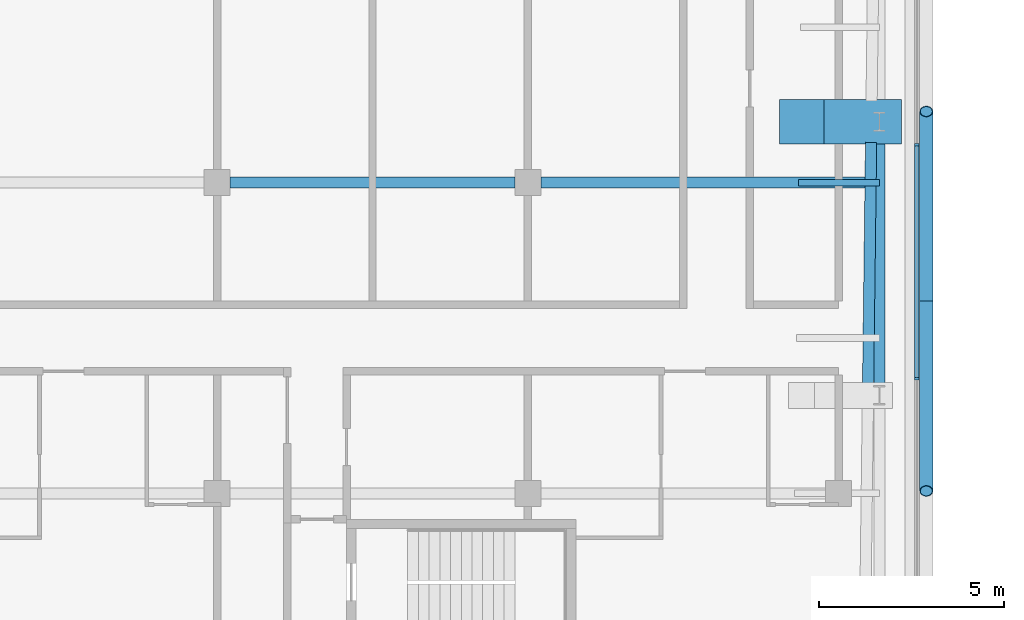
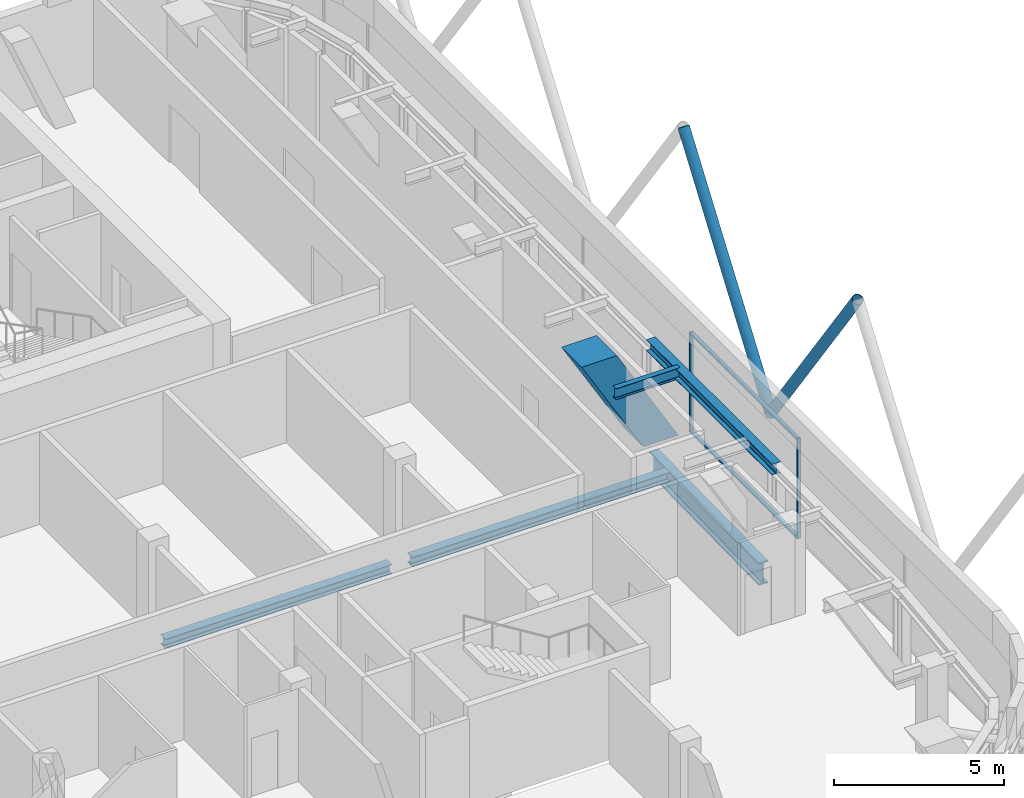
# One storey, part 7 of 25: 7 members, 5 beams, 1 element without a shape of its own.
"""IFC4 building model written with IfcOpenShell, lengths in metres."""

from ifc_helpers import new_model, si_unit, direction, frame, origin, origin_2d, place, context, subcontext, project, spatial, rectangle, hollow_circle, i_section, extrude, material, layer, layer_set, material_profile, profile_set, type_object, element, aggregate, save


model = new_model("IFC4")

# Units and contexts
model_context = context("Model", 3, precision=1e-05, world=origin(), true_north=direction((0.0, 1.0)))
body_context = subcontext(model_context, "Body", "Model", "MODEL_VIEW")
ifc_project = project(units=[si_unit("LENGTHUNIT", "METRE"), si_unit("AREAUNIT", "SQUARE_METRE"), si_unit("VOLUMEUNIT", "CUBIC_METRE"), si_unit("PLANEANGLEUNIT", "RADIAN"), si_unit("MASSUNIT", "GRAM", prefix="KILO")], contexts=[model_context])

# Site, building, storey
site_placement = place(None, origin())
site = spatial("IfcSite", under=ifc_project, at=site_placement, CompositionType="ELEMENT")
building_placement = place(site_placement, origin())
building = spatial("IfcBuilding", under=site, at=building_placement, Name="Marenta Gate Hotel Tower", CompositionType="ELEMENT")
storey_placement = place(building_placement, frame((0.0, 0.0, 277.699951171875)))
storey = spatial("IfcBuildingStorey", under=building, at=storey_placement, Name="L64", CompositionType="ELEMENT", Elevation=277.699951171875)

# Members
ifc_material_1 = material(Name="Steel S355J2W", Category="steel")
ifc_material_profile_1 = material_profile(ifc_material_1, hollow_circle(Radius=0.177734375, WallThickness=0.01611328125, at=origin_2d()), Name="CHS 355.6x16")
ifc_profile_set_1 = profile_set([ifc_material_profile_1], Name="Steel S355J2W")
member_type_1 = type_object("IfcMemberType", Name="Diagrid diagonal C CHS 355.6x16", PredefinedType="BRACE", material=ifc_profile_set_1)
for number, where, z_axis, x_axis, name in (
    (1, (23.3701171875, -11.60595703125, 3.14013671875), (0.0, 0.580231970533, 0.81445126335), (-1.0, 0.0, 0.0), "L64-DG-6"),
    (2, (23.3701171875, -11.60595703125, 3.14013671875), (0.0, -0.580231970533, 0.81445126335), (1.0, 0.0, 0.0), "L64-DG-7"),
):
    element("IfcMember", number, at=place(storey_placement, frame(where, z_axis=z_axis, x_axis=x_axis)), inside=storey, type_object=member_type_1, Name=name, PredefinedType="BRACE", context=body_context, shape_type="SweptSolid", body=[
        extrude(hollow_circle(Radius=0.177734375, WallThickness=0.01611328125, at=origin_2d()), origin(), (0.0, 0.0, 1.0), 8.84033203125),
    ])

# Beams
ifc_material_2 = material(Name="Steel S355", Category="steel")
ifc_material_profile_2 = material_profile(ifc_material_2, i_section(OverallWidth=0.302978515625, OverallDepth=0.81396484375, WebThickness=0.030029296875, FlangeThickness=0.052001953125, FilletRadius=0.030029296875, at=origin_2d()), Name="HEM 800")
ifc_profile_set_2 = profile_set([ifc_material_profile_2], Name="Steel S355")
beam_type_1 = type_object("IfcBeamType", Name="Edge beam HEM 800", PredefinedType="SPANDREL", material=ifc_profile_set_2)
beam_1_placement = place(storey_placement, frame((21.877197265625, -7.31005859375, -0.6669921875), z_axis=(-0.012334222436, -0.999923930585, 0.0), x_axis=(0.999923930585, -0.012334222436, 0.0)))
element("IfcBeam", 3, at=beam_1_placement, inside=storey, type_object=beam_type_1, Name="L64-EB-25", PredefinedType="SPANDREL", context=body_context, shape_type="SweptSolid", body=[
    extrude(i_section(OverallWidth=0.302978515625, OverallDepth=0.81396484375, WebThickness=0.030029296875, FlangeThickness=0.052001953125, FilletRadius=0.030029296875, at=origin_2d()), origin(), (0.0, 0.0, 1.0), 6.59130859375),
])
ifc_material_3 = material(Name="Steel S355", Category="steel")
ifc_material_profile_3 = material_profile(ifc_material_3, i_section(OverallWidth=0.300048828125, OverallDepth=0.340087890625, WebThickness=0.011962890625, FlangeThickness=0.021484375, FilletRadius=0.027099609375, at=origin_2d()), Name="HEB 340")
ifc_profile_set_3 = profile_set([ifc_material_profile_3], Name="Steel S355")
beam_type_2 = type_object("IfcBeamType", Name="Girder HEB 340", PredefinedType="BEAM", material=ifc_profile_set_3)
beam_2_placement = place(storey_placement, frame((4.550048828125, -8.39990234375, -0.429931640625), z_axis=(1.0, 0.0, 0.0), x_axis=(0.0, 1.0, 0.0)))
element("IfcBeam", 4, at=beam_2_placement, inside=storey, type_object=beam_type_2, Name="L64-GD-14", PredefinedType="BEAM", context=body_context, shape_type="SweptSolid", body=[
    extrude(i_section(OverallWidth=0.300048828125, OverallDepth=0.340087890625, WebThickness=0.011962890625, FlangeThickness=0.021484375, FilletRadius=0.027099609375, at=origin_2d()), origin(), (0.0, 0.0, 1.0), 7.699951171875),
])
beam_3_placement = place(storey_placement, frame((12.949951171875, -8.39990234375, -0.429931640625), z_axis=(1.0, 0.0, 0.0), x_axis=(0.0, 1.0, 0.0)))
element("IfcBeam", 5, at=beam_3_placement, inside=storey, type_object=beam_type_2, Name="L64-GD-15", PredefinedType="BEAM", context=body_context, shape_type="SweptSolid", body=[
    extrude(i_section(OverallWidth=0.300048828125, OverallDepth=0.340087890625, WebThickness=0.011962890625, FlangeThickness=0.021484375, FilletRadius=0.027099609375, at=origin_2d()), origin(), (0.0, 0.0, 1.0), 8.762451171875),
])

# Member
ifc_material_4 = material(Name="Concrete C50", Category="concrete")
ifc_material_profile_4 = material_profile(ifc_material_4, rectangle(XDim=1.199951171875, YDim=1.199951171875, at=origin_2d()), Name="1200 x 1200")
ifc_profile_set_4 = profile_set([ifc_material_profile_4], Name="Concrete C50")
member_type_2 = type_object("IfcMemberType", Name="Mega column raked 1200 x 1200 C50", PredefinedType="STRUT", material=ifc_profile_set_4)
member_1_placement = place(storey_placement, frame((22.10009765625, -6.75, 0.0), z_axis=(0.0, 0.0, 1.0), x_axis=(1.0, 0.0, 0.0)))
element("IfcMember", 6, at=member_1_placement, inside=storey, type_object=member_type_2, Name="L64-MC-E", PredefinedType="STRUT", context=body_context, shape_type="SweptSolid", body=[
    extrude(rectangle(XDim=1.199951171875, YDim=1.199951171875, at=origin_2d()), origin(), (-0.503878309678, 0.0, 0.863774651768), 4.16796875),
])

# Curtain wall, members
ifc_material_5 = material(Name="Tinted insulated glass in bronze anodised frame", Category="glass")
ifc_layer = layer(ifc_material_5, 0.1201171875)
ifc_layer_set = layer_set([ifc_layer], Name="Tinted insulated glass in bronze anodised frame")
curtain_wall_type = type_object("IfcCurtainWallType", Name="Tower unitised curtain wall CW1", PredefinedType="NOTDEFINED", material=ifc_layer_set)
curtain_wall_placement = place(storey_placement, origin())
curtain_wall = element("IfcCurtainWall", 7, at=curtain_wall_placement, inside=storey, type_object=curtain_wall_type, Name="CW1 run G20", PredefinedType="NOTDEFINED")
ifc_material_6 = material(Name="Bronze anodised aluminium", Category="aluminium")
ifc_material_profile_5 = material_profile(ifc_material_6, rectangle(XDim=0.1201171875, YDim=0.06005859375, at=origin_2d()), Name="Mullion CW1 60x120 bronze anodised aluminium")
ifc_profile_set_5 = profile_set([ifc_material_profile_5], Name="Bronze anodised aluminium")
member_type_3 = type_object("IfcMemberType", Name="Mullion CW1 60x120 bronze anodised aluminium", PredefinedType="MULLION", material=ifc_profile_set_5)
member_2_placement = place(storey_placement, frame((23.114013671875, -13.69873046875, 0.0), z_axis=(0.0, 0.0, 1.0), x_axis=(-1.0, 0.0, 0.0)))
member_2 = element("IfcMember", 8, at=member_2_placement, type_object=member_type_3, Name="CW1 mullion 3", PredefinedType="MULLION", context=body_context, shape_type="SweptSolid", body=[
    extrude(rectangle(XDim=0.1201171875, YDim=0.06005859375, at=origin_2d()), origin(), (0.0, 0.0, 1.0), 3.60009765625),
])
member_3_placement = place(storey_placement, frame((23.114013671875, -7.3759765625, 0.0), z_axis=(0.0, 0.0, 1.0), x_axis=(-1.0, 0.0, 0.0)))
member_3 = element("IfcMember", 9, at=member_3_placement, type_object=member_type_3, Name="CW1 mullion 4", PredefinedType="MULLION", context=body_context, shape_type="SweptSolid", body=[
    extrude(rectangle(XDim=0.1201171875, YDim=0.06005859375, at=origin_2d()), origin(), (0.0, 0.0, 1.0), 3.60009765625),
])

# Beams
ifc_material_7 = material(Name="Steel S355", Category="steel")
ifc_material_profile_6 = material_profile(ifc_material_7, i_section(OverallWidth=0.179931640625, OverallDepth=0.39990234375, WebThickness=0.008544921875, FlangeThickness=0.013427734375, FilletRadius=0.02099609375, at=origin_2d()), Name="IPE 400")
ifc_profile_set_6 = profile_set([ifc_material_profile_6], Name="Steel S355")
beam_type_3 = type_object("IfcBeamType", Name="Terrace beam IPE 400", PredefinedType="JOIST", material=ifc_profile_set_6)
beam_4_placement = place(storey_placement, frame((19.914794921875, -8.39990234375, 3.14013671875), z_axis=(1.0, 0.0, 0.0), x_axis=(0.0, 1.0, 0.0)))
element("IfcBeam", 10, at=beam_4_placement, inside=storey, type_object=beam_type_3, Name="L64-TB-5", PredefinedType="JOIST", context=body_context, shape_type="SweptSolid", body=[
    extrude(i_section(OverallWidth=0.179931640625, OverallDepth=0.39990234375, WebThickness=0.008544921875, FlangeThickness=0.013427734375, FilletRadius=0.02099609375, at=origin_2d()), origin(), (0.0, 0.0, 1.0), 2.185302734375),
])
ifc_material_8 = material(Name="Steel S355", Category="steel")
ifc_material_profile_7 = material_profile(ifc_material_8, i_section(OverallWidth=0.300048828125, OverallDepth=0.39990234375, WebThickness=0.013427734375, FlangeThickness=0.02392578125, FilletRadius=0.027099609375, at=origin_2d()), Name="HEB 400")
ifc_profile_set_7 = profile_set([ifc_material_profile_7], Name="Steel S355")
beam_type_4 = type_object("IfcBeamType", Name="Terrace edge beam HEB 400", PredefinedType="SPANDREL", material=ifc_profile_set_7)
beam_5_placement = place(storey_placement, frame((22.10009765625, -6.75, 3.14013671875), z_axis=(0.0, -1.0, 0.0), x_axis=(1.0, 0.0, 0.0)))
element("IfcBeam", 11, at=beam_5_placement, inside=storey, type_object=beam_type_4, Name="L64-TE-20", PredefinedType="SPANDREL", context=body_context, shape_type="SweptSolid", body=[
    extrude(i_section(OverallWidth=0.300048828125, OverallDepth=0.39990234375, WebThickness=0.013427734375, FlangeThickness=0.02392578125, FilletRadius=0.027099609375, at=origin_2d()), origin(), (0.0, 0.0, 1.0), 7.40087890625),
])

# Member
ifc_material_9 = material(Name="Bronze anodised aluminium", Category="aluminium")
ifc_material_profile_8 = material_profile(ifc_material_9, rectangle(XDim=0.1201171875, YDim=0.06005859375, at=origin_2d()), Name="Transom CW1 60x120 bronze anodised aluminium")
ifc_profile_set_8 = profile_set([ifc_material_profile_8], Name="Bronze anodised aluminium")
member_type_4 = type_object("IfcMemberType", Name="Transom CW1 60x120 bronze anodised aluminium", PredefinedType="USERDEFINED", material=ifc_profile_set_8)
member_4_placement = place(storey_placement, frame((23.114013671875, -13.668701171875, 0.030029296875), z_axis=(0.0, 1.0, 0.0), x_axis=(-1.0, 0.0, 0.0)))
member_4 = element("IfcMember", 12, at=member_4_placement, type_object=member_type_4, Name="CW1 transom 3.1", ObjectType="TRANSOM", PredefinedType="USERDEFINED", context=body_context, shape_type="SweptSolid", body=[
    extrude(rectangle(XDim=0.1201171875, YDim=0.06005859375, at=origin_2d()), origin(), (0.0, 0.0, 1.0), 6.2626953125),
])

member_5_placement = place(storey_placement, frame((23.114013671875, -13.668701171875, 3.570068359375), z_axis=(0.0, 1.0, 0.0), x_axis=(-1.0, 0.0, 0.0)))
member_5 = element("IfcMember", 13, at=member_5_placement, type_object=member_type_4, Name="CW1 transom 3.2", ObjectType="TRANSOM", PredefinedType="USERDEFINED", context=body_context, shape_type="SweptSolid", body=[
    extrude(rectangle(XDim=0.1201171875, YDim=0.06005859375, at=origin_2d()), origin(), (0.0, 0.0, 1.0), 6.2626953125),
])

aggregate(curtain_wall, [member_2, member_3, member_4, member_5])

save(model, "model.ifc")
